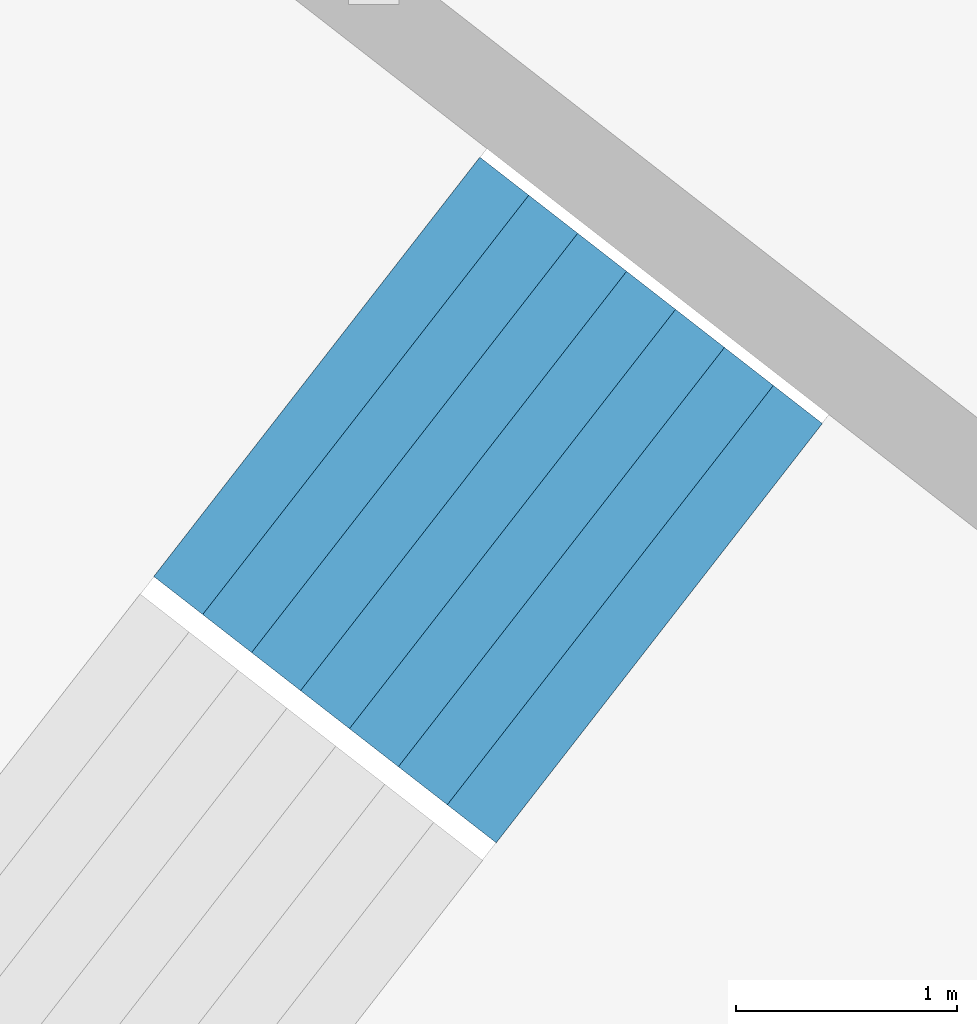
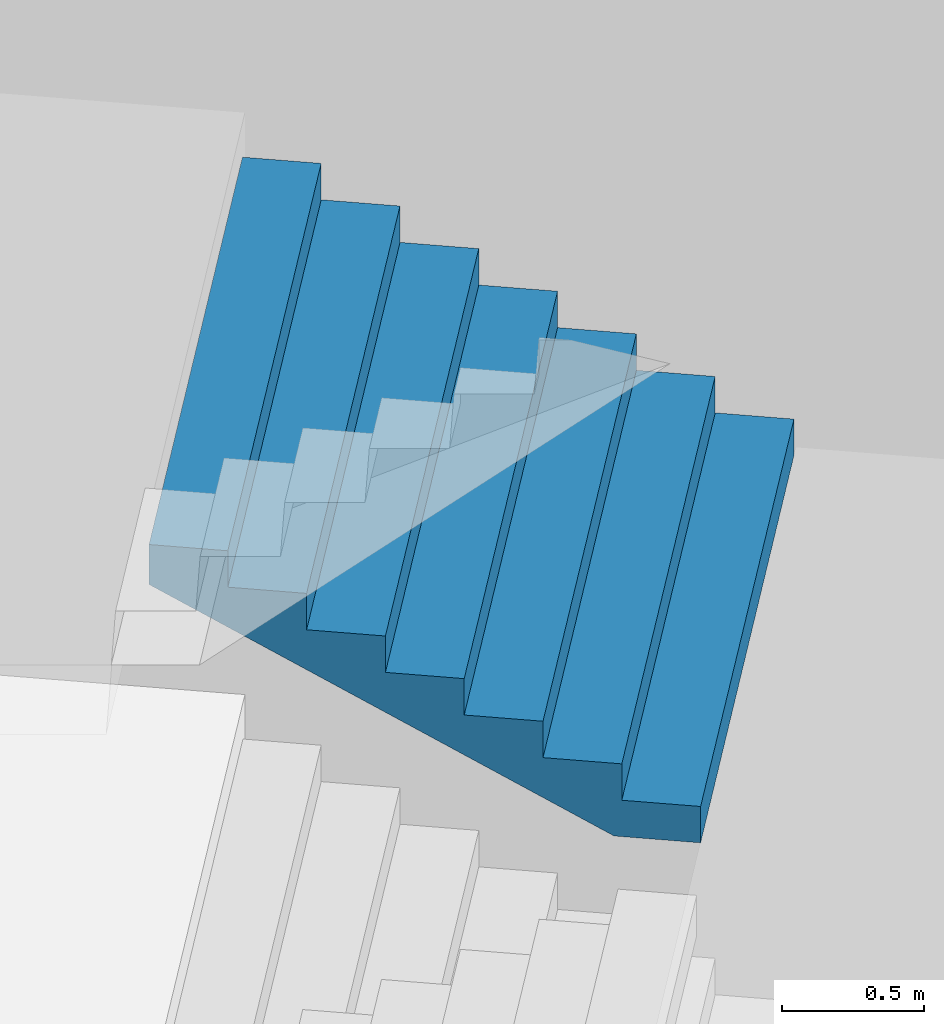
# One storey, part 40 of 73: 1 stair flight, 1 element without a shape of its own.
"""IFC4 building model written with IfcOpenShell, lengths in metres."""

from ifc_helpers import new_model, si_unit, direction, frame, origin, place, context, subcontext, project, spatial, triangles, material, type_object, element, aggregate, save


model = new_model("IFC4")

# Units and contexts
model_context = context("Model", 3, precision=1e-05, world=origin(), true_north=direction((0.0, 1.0)))
body_context = subcontext(model_context, "Body", "Model", "MODEL_VIEW")
ifc_project = project(units=[si_unit("LENGTHUNIT", "METRE"), si_unit("AREAUNIT", "SQUARE_METRE"), si_unit("VOLUMEUNIT", "CUBIC_METRE"), si_unit("PLANEANGLEUNIT", "RADIAN"), si_unit("MASSUNIT", "GRAM", prefix="KILO")], contexts=[model_context])

# Site, building, storey
site_placement = place(None, origin())
site = spatial("IfcSite", under=ifc_project, at=site_placement, CompositionType="ELEMENT")
building_placement = place(site_placement, origin())
building = spatial("IfcBuilding", under=site, at=building_placement, Name="Lantaw Convention Tower", CompositionType="ELEMENT")
storey_placement = place(building_placement, frame((0.0, 0.0, 22.0)))
storey = spatial("IfcBuildingStorey", under=building, at=storey_placement, Name="L03", CompositionType="ELEMENT", Elevation=22.0)

# Stair, stair flight
ifc_material = material(Name="Concrete C35/45", Category="concrete")
stair_type = type_object("IfcStairType", Name="Exit stair 2400 riser 156.25 in 4 flights", PredefinedType="HALF_TURN_STAIR", material=ifc_material)
stair_placement = place(storey_placement, origin())
stair = element("IfcStair", 1, at=stair_placement, inside=storey, type_object=stair_type, Name="Podium exit stair P7 L03", PredefinedType="HALF_TURN_STAIR")
stair_flight_type = type_object("IfcStairFlightType", Name="Stair flight 2400 riser 156.25", PredefinedType="STRAIGHT", material=ifc_material)
stair_flight_placement = place(storey_placement, frame((-27.959716796875, 23.327880859375, 2.5), z_axis=(0.0, 0.0, 1.0), x_axis=(-0.789378829664, 0.613906396186, 0.0)))
stair_flight = element("IfcStairFlight", 2, at=stair_flight_placement, type_object=stair_flight_type, Name="P7 flight 3", NumberOfRisers=8, NumberOfTreads=7, PredefinedType="STRAIGHT", RiserHeight=0.15625, TreadLength=0.28, context=body_context, shape_type="Tessellation", body=[
    triangles([(0.0, 1.199951171875, 0.0), (0.0, 1.199951171875, 0.15625), (0.28, 1.199951171875, 0.0), (0.28, 1.199951171875, 0.15625), (0.28, 1.199951171875, 0.3125), (0.3076200632058044, 1.199951171875, 0.0), (0.3076200632058044, 1.199951171875, 0.3125), (0.56, 1.199951171875, 0.14083701830033238), (0.56, 1.199951171875, 0.3125), (0.56, 1.199951171875, 0.46875), (0.8400000000000001, 1.199951171875, 0.29708701830033235), (0.8400000000000001, 1.199951171875, 0.46875), (0.8400000000000001, 1.199951171875, 0.625), (1.12, 1.199951171875, 0.45333701830033235), (1.12, 1.199951171875, 0.625), (1.12, 1.199951171875, 0.78125), (1.4000000000000001, 1.199951171875, 0.6095870183003324), (1.4000000000000001, 1.199951171875, 0.78125), (1.4000000000000001, 1.199951171875, 0.9375), (1.6800000000000002, 1.199951171875, 0.7658370183003324), (1.6800000000000002, 1.199951171875, 0.9375), (1.6800000000000002, 1.199951171875, 1.09375), (1.9600000000000002, 1.199951171875, 0.9220870183003324), (1.9600000000000002, 1.199951171875, 1.09375), (0.0, -1.199951171875, 0.0), (0.0, -1.199951171875, 0.15625), (0.28, -1.199951171875, 0.0), (0.28, -1.199951171875, 0.15625), (0.28, -1.199951171875, 0.3125), (0.3076200632058044, -1.199951171875, 0.0), (0.3076200632058044, -1.199951171875, 0.3125), (0.56, -1.199951171875, 0.14083701830033238), (0.56, -1.199951171875, 0.3125), (0.56, -1.199951171875, 0.46875), (0.8400000000000001, -1.199951171875, 0.29708701830033235), (0.8400000000000001, -1.199951171875, 0.46875), (0.8400000000000001, -1.199951171875, 0.625), (1.12, -1.199951171875, 0.45333701830033235), (1.12, -1.199951171875, 0.625), (1.12, -1.199951171875, 0.78125), (1.4000000000000001, -1.199951171875, 0.6095870183003324), (1.4000000000000001, -1.199951171875, 0.78125), (1.4000000000000001, -1.199951171875, 0.9375), (1.6800000000000002, -1.199951171875, 0.7658370183003324), (1.6800000000000002, -1.199951171875, 0.9375), (1.6800000000000002, -1.199951171875, 1.09375), (1.9600000000000002, -1.199951171875, 0.9220870183003324), (1.9600000000000002, -1.199951171875, 1.09375), (0.0, 0.239990234375, 0.15625), (0.0, 0.239990234375, 0.0), (0.0, 0.1919921875, 0.15625), (0.0, 0.1919921875, 0.0), (0.0, 0.143994140625, 0.15625), (0.0, 0.143994140625, 0.0), (0.0, 0.09599609375, 0.15625), (0.0, 0.09599609375, 0.0), (0.0, 0.047998046875, 0.15625), (0.0, 0.047998046875, 0.0), (0.0, 0.0, 0.15625), (0.0, 0.0, 0.0), (0.0, -0.047998046875, 0.15625), (0.0, -0.047998046875, 0.0), (0.0, -0.09599609375, 0.15625), (0.0, -0.09599609375, 0.0), (0.0, -0.143994140625, 0.15625), (0.0, -0.143994140625, 0.0), (0.0, -0.1919921875, 0.15625), (0.0, -0.1919921875, 0.0), (0.0, -0.239990234375, 0.15625), (0.0, -0.239990234375, 0.0), (0.28, 0.239990234375, 0.3125), (0.28, 0.239990234375, 0.15625), (0.28, 0.1919921875, 0.3125), (0.28, 0.1919921875, 0.15625), (0.28, 0.143994140625, 0.3125), (0.28, 0.143994140625, 0.15625), (0.28, 0.09599609375, 0.3125), (0.28, 0.09599609375, 0.15625), (0.28, 0.047998046875, 0.3125), (0.28, 0.047998046875, 0.15625), (0.28, 0.0, 0.3125), (0.28, 0.0, 0.15625), (0.28, -0.047998046875, 0.3125), (0.28, -0.047998046875, 0.15625), (0.28, -0.09599609375, 0.3125), (0.28, -0.09599609375, 0.15625), (0.28, -0.143994140625, 0.3125), (0.28, -0.143994140625, 0.15625), (0.28, -0.1919921875, 0.3125), (0.28, -0.1919921875, 0.15625), (0.28, -0.239990234375, 0.3125), (0.28, -0.239990234375, 0.15625), (0.56, 0.239990234375, 0.46875), (0.56, 0.239990234375, 0.3125), (0.56, 0.1919921875, 0.46875), (0.56, 0.1919921875, 0.3125), (0.56, 0.143994140625, 0.46875), (0.56, 0.143994140625, 0.3125), (0.56, 0.09599609375, 0.46875), (0.56, 0.09599609375, 0.3125), (0.56, 0.047998046875, 0.46875), (0.56, 0.047998046875, 0.3125), (0.56, 0.0, 0.46875), (0.56, 0.0, 0.3125), (0.56, -0.047998046875, 0.46875), (0.56, -0.047998046875, 0.3125), (0.56, -0.09599609375, 0.46875), (0.56, -0.09599609375, 0.3125), (0.56, -0.143994140625, 0.46875), (0.56, -0.143994140625, 0.3125), (0.56, -0.1919921875, 0.46875), (0.56, -0.1919921875, 0.3125), (0.56, -0.239990234375, 0.46875), (0.56, -0.239990234375, 0.3125), (0.8400000000000001, 0.239990234375, 0.625), (0.8400000000000001, 0.239990234375, 0.46875), (0.8400000000000001, 0.1919921875, 0.625), (0.8400000000000001, 0.1919921875, 0.46875), (0.8400000000000001, 0.143994140625, 0.625), (0.8400000000000001, 0.143994140625, 0.46875), (0.8400000000000001, 0.09599609375, 0.625), (0.8400000000000001, 0.09599609375, 0.46875), (0.8400000000000001, 0.047998046875, 0.625), (0.8400000000000001, 0.047998046875, 0.46875), (0.8400000000000001, 0.0, 0.625), (0.8400000000000001, 0.0, 0.46875), (0.8400000000000001, -0.047998046875, 0.625), (0.8400000000000001, -0.047998046875, 0.46875), (0.8400000000000001, -0.09599609375, 0.625), (0.8400000000000001, -0.09599609375, 0.46875), (0.8400000000000001, -0.143994140625, 0.625), (0.8400000000000001, -0.143994140625, 0.46875), (0.8400000000000001, -0.1919921875, 0.625), (0.8400000000000001, -0.1919921875, 0.46875), (0.8400000000000001, -0.239990234375, 0.625), (0.8400000000000001, -0.239990234375, 0.46875), (1.12, 0.239990234375, 0.78125), (1.12, 0.239990234375, 0.625), (1.12, 0.1919921875, 0.78125), (1.12, 0.1919921875, 0.625), (1.12, 0.143994140625, 0.78125), (1.12, 0.143994140625, 0.625), (1.12, 0.09599609375, 0.78125), (1.12, 0.09599609375, 0.625), (1.12, 0.047998046875, 0.78125), (1.12, 0.047998046875, 0.625), (1.12, 0.0, 0.78125), (1.12, 0.0, 0.625), (1.12, -0.047998046875, 0.78125), (1.12, -0.047998046875, 0.625), (1.12, -0.09599609375, 0.78125), (1.12, -0.09599609375, 0.625), (1.12, -0.143994140625, 0.78125), (1.12, -0.143994140625, 0.625), (1.12, -0.1919921875, 0.78125), (1.12, -0.1919921875, 0.625), (1.12, -0.239990234375, 0.78125), (1.12, -0.239990234375, 0.625), (1.4000000000000001, 0.239990234375, 0.9375), (1.4000000000000001, 0.239990234375, 0.78125), (1.4000000000000001, 0.1919921875, 0.9375), (1.4000000000000001, 0.1919921875, 0.78125), (1.4000000000000001, 0.143994140625, 0.9375), (1.4000000000000001, 0.143994140625, 0.78125), (1.4000000000000001, 0.09599609375, 0.9375), (1.4000000000000001, 0.09599609375, 0.78125), (1.4000000000000001, 0.047998046875, 0.9375), (1.4000000000000001, 0.047998046875, 0.78125), (1.4000000000000001, 0.0, 0.9375), (1.4000000000000001, 0.0, 0.78125), (1.4000000000000001, -0.047998046875, 0.9375), (1.4000000000000001, -0.047998046875, 0.78125), (1.4000000000000001, -0.09599609375, 0.9375), (1.4000000000000001, -0.09599609375, 0.78125), (1.4000000000000001, -0.143994140625, 0.9375), (1.4000000000000001, -0.143994140625, 0.78125), (1.4000000000000001, -0.1919921875, 0.9375), (1.4000000000000001, -0.1919921875, 0.78125), (1.4000000000000001, -0.239990234375, 0.9375), (1.4000000000000001, -0.239990234375, 0.78125), (1.6800000000000002, 0.239990234375, 1.09375), (1.6800000000000002, 0.239990234375, 0.9375), (1.6800000000000002, 0.1919921875, 1.09375), (1.6800000000000002, 0.1919921875, 0.9375), (1.6800000000000002, 0.143994140625, 1.09375), (1.6800000000000002, 0.143994140625, 0.9375), (1.6800000000000002, 0.09599609375, 1.09375), (1.6800000000000002, 0.09599609375, 0.9375), (1.6800000000000002, 0.047998046875, 1.09375), (1.6800000000000002, 0.047998046875, 0.9375), (1.6800000000000002, 0.0, 1.09375), (1.6800000000000002, 0.0, 0.9375), (1.6800000000000002, -0.047998046875, 1.09375), (1.6800000000000002, -0.047998046875, 0.9375), (1.6800000000000002, -0.09599609375, 1.09375), (1.6800000000000002, -0.09599609375, 0.9375), (1.6800000000000002, -0.143994140625, 1.09375), (1.6800000000000002, -0.143994140625, 0.9375), (1.6800000000000002, -0.1919921875, 1.09375), (1.6800000000000002, -0.1919921875, 0.9375), (1.6800000000000002, -0.239990234375, 1.09375), (1.6800000000000002, -0.239990234375, 0.9375), (0.3076200632058044, 0.239990234375, 0.3125), (0.3076200632058044, 0.1919921875, 0.3125), (0.3076200632058044, 0.143994140625, 0.3125), (0.3076200632058044, 0.09599609375, 0.3125), (0.3076200632058044, 0.047998046875, 0.3125), (0.3076200632058044, 0.0, 0.3125), (0.3076200632058044, -0.047998046875, 0.3125), (0.3076200632058044, -0.09599609375, 0.3125), (0.3076200632058044, -0.143994140625, 0.3125), (0.3076200632058044, -0.1919921875, 0.3125), (0.3076200632058044, -0.239990234375, 0.3125), (1.9600000000000002, 0.239990234375, 1.09375), (1.9600000000000002, 0.1919921875, 1.09375), (1.9600000000000002, 0.143994140625, 1.09375), (1.9600000000000002, 0.09599609375, 1.09375), (1.9600000000000002, 0.047998046875, 1.09375), (1.9600000000000002, 0.0, 1.09375), (1.9600000000000002, -0.047998046875, 1.09375), (1.9600000000000002, -0.09599609375, 1.09375), (1.9600000000000002, -0.143994140625, 1.09375), (1.9600000000000002, -0.1919921875, 1.09375), (1.9600000000000002, -0.239990234375, 1.09375), (1.9600000000000002, 0.239990234375, 0.9220870183003324), (1.9600000000000002, 0.1919921875, 0.9220870183003324), (1.9600000000000002, 0.143994140625, 0.9220870183003324), (1.9600000000000002, 0.09599609375, 0.9220870183003324), (1.9600000000000002, 0.047998046875, 0.9220870183003324), (1.9600000000000002, 0.0, 0.9220870183003324), (1.9600000000000002, -0.047998046875, 0.9220870183003324), (1.9600000000000002, -0.09599609375, 0.9220870183003324), (1.9600000000000002, -0.143994140625, 0.9220870183003324), (1.9600000000000002, -0.1919921875, 0.9220870183003324), (1.9600000000000002, -0.239990234375, 0.9220870183003324), (1.6800000000000002, 0.239990234375, 0.7658370183003324), (1.6800000000000002, 0.1919921875, 0.7658370183003324), (1.6800000000000002, 0.143994140625, 0.7658370183003324), (1.6800000000000002, 0.09599609375, 0.7658370183003324), (1.6800000000000002, 0.047998046875, 0.7658370183003324), (1.6800000000000002, 0.0, 0.7658370183003324), (1.6800000000000002, -0.047998046875, 0.7658370183003324), (1.6800000000000002, -0.09599609375, 0.7658370183003324), (1.6800000000000002, -0.143994140625, 0.7658370183003324), (1.6800000000000002, -0.1919921875, 0.7658370183003324), (1.6800000000000002, -0.239990234375, 0.7658370183003324), (1.4000000000000001, 0.239990234375, 0.6095870183003324), (1.4000000000000001, 0.1919921875, 0.6095870183003324), (1.4000000000000001, 0.143994140625, 0.6095870183003324), (1.4000000000000001, 0.09599609375, 0.6095870183003324), (1.4000000000000001, 0.047998046875, 0.6095870183003324), (1.4000000000000001, 0.0, 0.6095870183003324), (1.4000000000000001, -0.047998046875, 0.6095870183003324), (1.4000000000000001, -0.09599609375, 0.6095870183003324), (1.4000000000000001, -0.143994140625, 0.6095870183003324), (1.4000000000000001, -0.1919921875, 0.6095870183003324), (1.4000000000000001, -0.239990234375, 0.6095870183003324), (1.12, 0.239990234375, 0.45333701830033235), (1.12, 0.1919921875, 0.45333701830033235), (1.12, 0.143994140625, 0.45333701830033235), (1.12, 0.09599609375, 0.45333701830033235), (1.12, 0.047998046875, 0.45333701830033235), (1.12, 0.0, 0.45333701830033235), (1.12, -0.047998046875, 0.45333701830033235), (1.12, -0.09599609375, 0.45333701830033235), (1.12, -0.143994140625, 0.45333701830033235), (1.12, -0.1919921875, 0.45333701830033235), (1.12, -0.239990234375, 0.45333701830033235), (0.8400000000000001, 0.239990234375, 0.29708701830033235), (0.8400000000000001, 0.1919921875, 0.29708701830033235), (0.8400000000000001, 0.143994140625, 0.29708701830033235), (0.8400000000000001, 0.09599609375, 0.29708701830033235), (0.8400000000000001, 0.047998046875, 0.29708701830033235), (0.8400000000000001, 0.0, 0.29708701830033235), (0.8400000000000001, -0.047998046875, 0.29708701830033235), (0.8400000000000001, -0.09599609375, 0.29708701830033235), (0.8400000000000001, -0.143994140625, 0.29708701830033235), (0.8400000000000001, -0.1919921875, 0.29708701830033235), (0.8400000000000001, -0.239990234375, 0.29708701830033235), (0.56, 0.239990234375, 0.14083701830033238), (0.56, 0.1919921875, 0.14083701830033238), (0.56, 0.143994140625, 0.14083701830033238), (0.56, 0.09599609375, 0.14083701830033238), (0.56, 0.047998046875, 0.14083701830033238), (0.56, 0.0, 0.14083701830033238), (0.56, -0.047998046875, 0.14083701830033238), (0.56, -0.09599609375, 0.14083701830033238), (0.56, -0.143994140625, 0.14083701830033238), (0.56, -0.1919921875, 0.14083701830033238), (0.56, -0.239990234375, 0.14083701830033238), (0.3076200632058044, 0.239990234375, 0.0), (0.3076200632058044, 0.1919921875, 0.0), (0.3076200632058044, 0.143994140625, 0.0), (0.3076200632058044, 0.09599609375, 0.0), (0.3076200632058044, 0.047998046875, 0.0), (0.3076200632058044, 0.0, 0.0), (0.3076200632058044, -0.047998046875, 0.0), (0.3076200632058044, -0.09599609375, 0.0), (0.3076200632058044, -0.143994140625, 0.0), (0.3076200632058044, -0.1919921875, 0.0), (0.3076200632058044, -0.239990234375, 0.0), (0.28, 0.239990234375, 0.0), (0.28, 0.1919921875, 0.0), (0.28, 0.143994140625, 0.0), (0.28, 0.09599609375, 0.0), (0.28, 0.047998046875, 0.0), (0.28, 0.0, 0.0), (0.28, -0.047998046875, 0.0), (0.28, -0.09599609375, 0.0), (0.28, -0.143994140625, 0.0), (0.28, -0.1919921875, 0.0), (0.28, -0.239990234375, 0.0)], [[1, 4, 3], [1, 2, 4], [3, 4, 6], [4, 7, 6], [4, 5, 7], [6, 9, 8], [6, 7, 9], [8, 9, 11], [9, 12, 11], [9, 10, 12], [11, 12, 14], [12, 15, 14], [12, 13, 15], [14, 15, 17], [15, 18, 17], [15, 16, 18], [17, 18, 20], [18, 21, 20], [18, 19, 21], [20, 21, 23], [21, 24, 23], [21, 22, 24], [25, 27, 28], [25, 28, 26], [27, 30, 28], [28, 30, 31], [28, 31, 29], [30, 32, 33], [30, 33, 31], [32, 35, 33], [33, 35, 36], [33, 36, 34], [35, 38, 36], [36, 38, 39], [36, 39, 37], [38, 41, 39], [39, 41, 42], [39, 42, 40], [41, 44, 42], [42, 44, 45], [42, 45, 43], [44, 47, 45], [45, 47, 48], [45, 48, 46], [1, 49, 2], [1, 50, 49], [50, 51, 49], [50, 52, 51], [52, 53, 51], [52, 54, 53], [54, 55, 53], [54, 56, 55], [56, 57, 55], [56, 58, 57], [58, 59, 57], [58, 60, 59], [60, 61, 59], [60, 62, 61], [62, 63, 61], [62, 64, 63], [64, 65, 63], [64, 66, 65], [66, 67, 65], [66, 68, 67], [68, 69, 67], [68, 70, 69], [70, 26, 69], [70, 25, 26], [4, 71, 5], [4, 72, 71], [72, 73, 71], [72, 74, 73], [74, 75, 73], [74, 76, 75], [76, 77, 75], [76, 78, 77], [78, 79, 77], [78, 80, 79], [80, 81, 79], [80, 82, 81], [82, 83, 81], [82, 84, 83], [84, 85, 83], [84, 86, 85], [86, 87, 85], [86, 88, 87], [88, 89, 87], [88, 90, 89], [90, 91, 89], [90, 92, 91], [92, 29, 91], [92, 28, 29], [9, 93, 10], [9, 94, 93], [94, 95, 93], [94, 96, 95], [96, 97, 95], [96, 98, 97], [98, 99, 97], [98, 100, 99], [100, 101, 99], [100, 102, 101], [102, 103, 101], [102, 104, 103], [104, 105, 103], [104, 106, 105], [106, 107, 105], [106, 108, 107], [108, 109, 107], [108, 110, 109], [110, 111, 109], [110, 112, 111], [112, 113, 111], [112, 114, 113], [114, 34, 113], [114, 33, 34], [12, 115, 13], [12, 116, 115], [116, 117, 115], [116, 118, 117], [118, 119, 117], [118, 120, 119], [120, 121, 119], [120, 122, 121], [122, 123, 121], [122, 124, 123], [124, 125, 123], [124, 126, 125], [126, 127, 125], [126, 128, 127], [128, 129, 127], [128, 130, 129], [130, 131, 129], [130, 132, 131], [132, 133, 131], [132, 134, 133], [134, 135, 133], [134, 136, 135], [136, 37, 135], [136, 36, 37], [15, 137, 16], [15, 138, 137], [138, 139, 137], [138, 140, 139], [140, 141, 139], [140, 142, 141], [142, 143, 141], [142, 144, 143], [144, 145, 143], [144, 146, 145], [146, 147, 145], [146, 148, 147], [148, 149, 147], [148, 150, 149], [150, 151, 149], [150, 152, 151], [152, 153, 151], [152, 154, 153], [154, 155, 153], [154, 156, 155], [156, 157, 155], [156, 158, 157], [158, 40, 157], [158, 39, 40], [18, 159, 19], [18, 160, 159], [160, 161, 159], [160, 162, 161], [162, 163, 161], [162, 164, 163], [164, 165, 163], [164, 166, 165], [166, 167, 165], [166, 168, 167], [168, 169, 167], [168, 170, 169], [170, 171, 169], [170, 172, 171], [172, 173, 171], [172, 174, 173], [174, 175, 173], [174, 176, 175], [176, 177, 175], [176, 178, 177], [178, 179, 177], [178, 180, 179], [180, 43, 179], [180, 42, 43], [21, 181, 22], [21, 182, 181], [182, 183, 181], [182, 184, 183], [184, 185, 183], [184, 186, 185], [186, 187, 185], [186, 188, 187], [188, 189, 187], [188, 190, 189], [190, 191, 189], [190, 192, 191], [192, 193, 191], [192, 194, 193], [194, 195, 193], [194, 196, 195], [196, 197, 195], [196, 198, 197], [198, 199, 197], [198, 200, 199], [200, 201, 199], [200, 202, 201], [202, 46, 201], [202, 45, 46], [2, 72, 4], [2, 49, 72], [49, 74, 72], [49, 51, 74], [51, 76, 74], [51, 53, 76], [53, 78, 76], [53, 55, 78], [55, 80, 78], [55, 57, 80], [57, 82, 80], [57, 59, 82], [59, 84, 82], [59, 61, 84], [61, 86, 84], [61, 63, 86], [63, 88, 86], [63, 65, 88], [65, 90, 88], [65, 67, 90], [67, 92, 90], [67, 69, 92], [69, 28, 92], [69, 26, 28], [5, 203, 7], [5, 71, 203], [71, 204, 203], [71, 73, 204], [73, 205, 204], [73, 75, 205], [75, 206, 205], [75, 77, 206], [77, 207, 206], [77, 79, 207], [79, 208, 207], [79, 81, 208], [81, 209, 208], [81, 83, 209], [83, 210, 209], [83, 85, 210], [85, 211, 210], [85, 87, 211], [87, 212, 211], [87, 89, 212], [89, 213, 212], [89, 91, 213], [91, 31, 213], [91, 29, 31], [7, 94, 9], [7, 203, 94], [203, 96, 94], [203, 204, 96], [204, 98, 96], [204, 205, 98], [205, 100, 98], [205, 206, 100], [206, 102, 100], [206, 207, 102], [207, 104, 102], [207, 208, 104], [208, 106, 104], [208, 209, 106], [209, 108, 106], [209, 210, 108], [210, 110, 108], [210, 211, 110], [211, 112, 110], [211, 212, 112], [212, 114, 112], [212, 213, 114], [213, 33, 114], [213, 31, 33], [10, 116, 12], [10, 93, 116], [93, 118, 116], [93, 95, 118], [95, 120, 118], [95, 97, 120], [97, 122, 120], [97, 99, 122], [99, 124, 122], [99, 101, 124], [101, 126, 124], [101, 103, 126], [103, 128, 126], [103, 105, 128], [105, 130, 128], [105, 107, 130], [107, 132, 130], [107, 109, 132], [109, 134, 132], [109, 111, 134], [111, 136, 134], [111, 113, 136], [113, 36, 136], [113, 34, 36], [13, 138, 15], [13, 115, 138], [115, 140, 138], [115, 117, 140], [117, 142, 140], [117, 119, 142], [119, 144, 142], [119, 121, 144], [121, 146, 144], [121, 123, 146], [123, 148, 146], [123, 125, 148], [125, 150, 148], [125, 127, 150], [127, 152, 150], [127, 129, 152], [129, 154, 152], [129, 131, 154], [131, 156, 154], [131, 133, 156], [133, 158, 156], [133, 135, 158], [135, 39, 158], [135, 37, 39], [16, 160, 18], [16, 137, 160], [137, 162, 160], [137, 139, 162], [139, 164, 162], [139, 141, 164], [141, 166, 164], [141, 143, 166], [143, 168, 166], [143, 145, 168], [145, 170, 168], [145, 147, 170], [147, 172, 170], [147, 149, 172], [149, 174, 172], [149, 151, 174], [151, 176, 174], [151, 153, 176], [153, 178, 176], [153, 155, 178], [155, 180, 178], [155, 157, 180], [157, 42, 180], [157, 40, 42], [19, 182, 21], [19, 159, 182], [159, 184, 182], [159, 161, 184], [161, 186, 184], [161, 163, 186], [163, 188, 186], [163, 165, 188], [165, 190, 188], [165, 167, 190], [167, 192, 190], [167, 169, 192], [169, 194, 192], [169, 171, 194], [171, 196, 194], [171, 173, 196], [173, 198, 196], [173, 175, 198], [175, 200, 198], [175, 177, 200], [177, 202, 200], [177, 179, 202], [179, 45, 202], [179, 43, 45], [22, 214, 24], [22, 181, 214], [181, 215, 214], [181, 183, 215], [183, 216, 215], [183, 185, 216], [185, 217, 216], [185, 187, 217], [187, 218, 217], [187, 189, 218], [189, 219, 218], [189, 191, 219], [191, 220, 219], [191, 193, 220], [193, 221, 220], [193, 195, 221], [195, 222, 221], [195, 197, 222], [197, 223, 222], [197, 199, 223], [199, 224, 223], [199, 201, 224], [201, 48, 224], [201, 46, 48], [24, 225, 23], [24, 214, 225], [214, 226, 225], [214, 215, 226], [215, 227, 226], [215, 216, 227], [216, 228, 227], [216, 217, 228], [217, 229, 228], [217, 218, 229], [218, 230, 229], [218, 219, 230], [219, 231, 230], [219, 220, 231], [220, 232, 231], [220, 221, 232], [221, 233, 232], [221, 222, 233], [222, 234, 233], [222, 223, 234], [223, 235, 234], [223, 224, 235], [224, 47, 235], [224, 48, 47], [23, 236, 20], [23, 225, 236], [225, 237, 236], [225, 226, 237], [226, 238, 237], [226, 227, 238], [227, 239, 238], [227, 228, 239], [228, 240, 239], [228, 229, 240], [229, 241, 240], [229, 230, 241], [230, 242, 241], [230, 231, 242], [231, 243, 242], [231, 232, 243], [232, 244, 243], [232, 233, 244], [233, 245, 244], [233, 234, 245], [234, 246, 245], [234, 235, 246], [235, 44, 246], [235, 47, 44], [20, 247, 17], [20, 236, 247], [236, 248, 247], [236, 237, 248], [237, 249, 248], [237, 238, 249], [238, 250, 249], [238, 239, 250], [239, 251, 250], [239, 240, 251], [240, 252, 251], [240, 241, 252], [241, 253, 252], [241, 242, 253], [242, 254, 253], [242, 243, 254], [243, 255, 254], [243, 244, 255], [244, 256, 255], [244, 245, 256], [245, 257, 256], [245, 246, 257], [246, 41, 257], [246, 44, 41], [17, 258, 14], [17, 247, 258], [247, 259, 258], [247, 248, 259], [248, 260, 259], [248, 249, 260], [249, 261, 260], [249, 250, 261], [250, 262, 261], [250, 251, 262], [251, 263, 262], [251, 252, 263], [252, 264, 263], [252, 253, 264], [253, 265, 264], [253, 254, 265], [254, 266, 265], [254, 255, 266], [255, 267, 266], [255, 256, 267], [256, 268, 267], [256, 257, 268], [257, 38, 268], [257, 41, 38], [14, 269, 11], [14, 258, 269], [258, 270, 269], [258, 259, 270], [259, 271, 270], [259, 260, 271], [260, 272, 271], [260, 261, 272], [261, 273, 272], [261, 262, 273], [262, 274, 273], [262, 263, 274], [263, 275, 274], [263, 264, 275], [264, 276, 275], [264, 265, 276], [265, 277, 276], [265, 266, 277], [266, 278, 277], [266, 267, 278], [267, 279, 278], [267, 268, 279], [268, 35, 279], [268, 38, 35], [11, 280, 8], [11, 269, 280], [269, 281, 280], [269, 270, 281], [270, 282, 281], [270, 271, 282], [271, 283, 282], [271, 272, 283], [272, 284, 283], [272, 273, 284], [273, 285, 284], [273, 274, 285], [274, 286, 285], [274, 275, 286], [275, 287, 286], [275, 276, 287], [276, 288, 287], [276, 277, 288], [277, 289, 288], [277, 278, 289], [278, 290, 289], [278, 279, 290], [279, 32, 290], [279, 35, 32], [8, 291, 6], [8, 280, 291], [280, 292, 291], [280, 281, 292], [281, 293, 292], [281, 282, 293], [282, 294, 293], [282, 283, 294], [283, 295, 294], [283, 284, 295], [284, 296, 295], [284, 285, 296], [285, 297, 296], [285, 286, 297], [286, 298, 297], [286, 287, 298], [287, 299, 298], [287, 288, 299], [288, 300, 299], [288, 289, 300], [289, 301, 300], [289, 290, 301], [290, 30, 301], [290, 32, 30], [6, 302, 3], [6, 291, 302], [291, 303, 302], [291, 292, 303], [292, 304, 303], [292, 293, 304], [293, 305, 304], [293, 294, 305], [294, 306, 305], [294, 295, 306], [295, 307, 306], [295, 296, 307], [296, 308, 307], [296, 297, 308], [297, 309, 308], [297, 298, 309], [298, 310, 309], [298, 299, 310], [299, 311, 310], [299, 300, 311], [300, 312, 311], [300, 301, 312], [301, 27, 312], [301, 30, 27], [3, 50, 1], [3, 302, 50], [302, 52, 50], [302, 303, 52], [303, 54, 52], [303, 304, 54], [304, 56, 54], [304, 305, 56], [305, 58, 56], [305, 306, 58], [306, 60, 58], [306, 307, 60], [307, 62, 60], [307, 308, 62], [308, 64, 62], [308, 309, 64], [309, 66, 64], [309, 310, 66], [310, 68, 66], [310, 311, 68], [311, 70, 68], [311, 312, 70], [312, 25, 70], [312, 27, 25]], closed=True),
])
aggregate(stair, [stair_flight])

save(model, "model.ifc")
